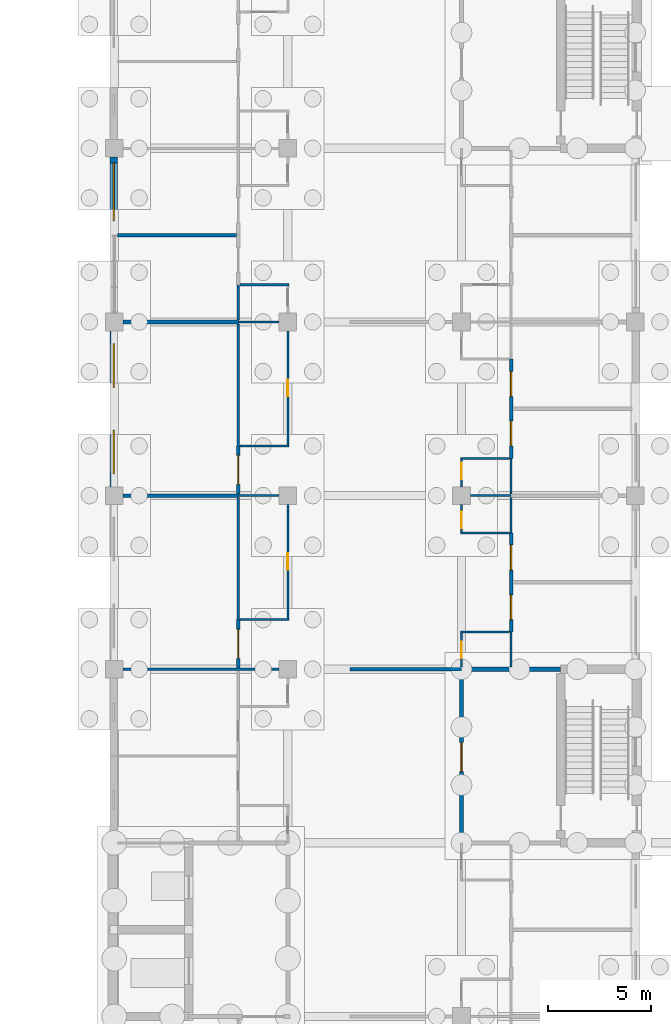
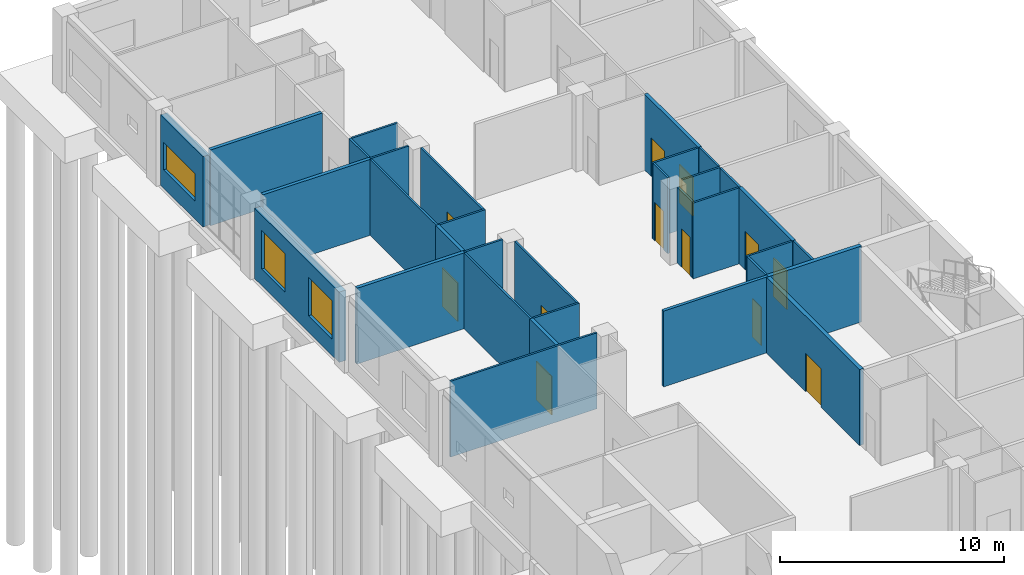
# One storey, part 107 of 138: 33 walls, 12 doors, 3 windows, 15 openings.
"""IFC4 building model written with IfcOpenShell, lengths in metres."""

from ifc_helpers import new_model, si_unit, direction, frame, frame_2d, origin, place, context, subcontext, project, spatial, rectangle, extrude, material, layer, layer_set, type_object, element, fill, save


model = new_model("IFC4")

# Units and contexts
model_context = context("Model", 3, precision=1e-05, world=origin(), true_north=direction((0.0, 1.0)))
body_context = subcontext(model_context, "Body", "Model", "MODEL_VIEW")
ifc_project = project(units=[si_unit("LENGTHUNIT", "METRE"), si_unit("AREAUNIT", "SQUARE_METRE"), si_unit("VOLUMEUNIT", "CUBIC_METRE"), si_unit("PLANEANGLEUNIT", "RADIAN"), si_unit("MASSUNIT", "GRAM", prefix="KILO")], contexts=[model_context])

# Site, building, storey
site_placement = place(None, origin())
site = spatial("IfcSite", under=ifc_project, at=site_placement, CompositionType="ELEMENT")
building_placement = place(site_placement, origin())
building = spatial("IfcBuilding", under=site, at=building_placement, Name="Yavir Park General Hospital", CompositionType="ELEMENT")
storey_placement = place(building_placement, origin())
storey = spatial("IfcBuildingStorey", under=building, at=storey_placement, Name="L00", CompositionType="ELEMENT", Elevation=0.0)

# Walls
ifc_material_1 = material(Name="Double-leaf gypsum board acoustic partition on staggered studs")
ifc_layer_1 = layer(ifc_material_1, 0.175048828125)
ifc_layer_set_1 = layer_set([ifc_layer_1], Name="Double-leaf gypsum board acoustic partition on staggered studs")
wall_type_1 = type_object("IfcWallType", Name="Acoustic partition 175", PredefinedType="PARTITIONING", material=ifc_layer_set_1)
for number, where, z_axis, x_axis, name in (
    (1, (0.425048828125, 92.39990234375, 0.0), (0.0, 0.0, 1.0), (1.0, 0.0, 0.0), "AP175 L00-208"),
    (2, (0.425048828125, 100.800048828125, 0.0), (0.0, 0.0, 1.0), (1.0, 0.0, 0.0), "AP175 L00-225"),
):
    element("IfcWall", number, at=place(storey_placement, frame(where, z_axis=z_axis, x_axis=x_axis)), inside=storey, type_object=wall_type_1, Name=name, PredefinedType="PARTITIONING", context=body_context, shape_type="SweptSolid", body=[
        extrude(rectangle(XDim=5.574951171875, YDim=0.175048828125, at=frame_2d((2.78759765625, 0.0))), origin(), (0.0, 0.0, 1.0), 4.139892578125),
    ])
wall_1_placement = place(storey_placement, frame((0.14990234375, 105.0, 0.0), z_axis=(0.0, 0.0, 1.0), x_axis=(1.0, 0.0, 0.0)))
element("IfcWall", 3, at=wall_1_placement, inside=storey, type_object=wall_type_1, Name="AP175 L00-235", PredefinedType="PARTITIONING", context=body_context, shape_type="SweptSolid", body=[
    extrude(rectangle(XDim=5.7626953125, YDim=0.175048828125, at=frame_2d((2.88134765625, 0.0))), origin(), (0.0, 0.0, 1.0), 4.139892578125),
])

# Wall, opening, door
wall_2_placement = place(storey_placement, frame((6.0, 84.050048828125, 0.0), z_axis=(0.0, 0.0, 1.0), x_axis=(0.0, 1.0, 0.0)))
wall_2 = element("IfcWall", 4, at=wall_2_placement, inside=storey, type_object=wall_type_1, Name="AP175 L00-267", PredefinedType="PARTITIONING", context=body_context, shape_type="SweptSolid", body=[
    extrude(rectangle(XDim=2.349853515625, YDim=0.175048828125, at=frame_2d((1.1748046875, 0.0))), origin(), (0.0, 0.0, 1.0), 4.139892578125),
])
opening_1_placement = place(wall_2_placement, frame((0.47509765625, 0.0, 0.0)))
opening_1 = element("IfcOpeningElement", 5, at=opening_1_placement, cuts=wall_2, Name="Opening L00.D139", PredefinedType="OPENING", context=body_context, shape_type="SweptSolid", body=[
    extrude(rectangle(XDim=1.39990234375, YDim=2.10009765625, at=frame_2d((0.699951171875, 1.050048828125))), frame((0.0, 0.097412109375, 0.0), z_axis=(0.0, -1.0, 0.0), x_axis=(1.0, 0.0, 0.0)), (0.0, 0.0, 1.0), 0.195068359375),
])
ifc_material_2 = material(Name="Hollow metal frame, solid-core timber leaf", Category="wood")
door_type_1 = type_object("IfcDoorType", Name="Double swing door 1400 x 2100", OperationType="DOUBLE_DOOR_SINGLE_SWING", PredefinedType="DOOR", material=ifc_material_2)
door_1_placement = place(opening_1_placement, origin())
door_1 = element("IfcDoor", 6, at=door_1_placement, inside=storey, type_object=door_type_1, Name="L00.D139", OperationType="SINGLE_SWING_RIGHT", OverallHeight=2.10009765625, OverallWidth=1.39990234375, PredefinedType="DOOR", context=body_context, shape_type="SweptSolid", body=[
    extrude(rectangle(XDim=1.39990234375, YDim=2.10009765625, at=frame_2d((0.699951171875, 1.050048828125))), frame((0.0, 0.02490234375, 0.0), z_axis=(0.0, -1.0, 0.0), x_axis=(1.0, 0.0, 0.0)), (0.0, 0.0, 1.0), 0.050048828125),
])
fill(opening_1, door_1)

wall_3_placement = place(storey_placement, frame((6.0, 92.487548828125, 0.0), z_axis=(0.0, 0.0, 1.0), x_axis=(0.0, 1.0, 0.0)))
wall_3 = element("IfcWall", 7, at=wall_3_placement, inside=storey, type_object=wall_type_1, Name="AP175 L00-269", PredefinedType="PARTITIONING", context=body_context, shape_type="SweptSolid", body=[
    extrude(rectangle(XDim=2.3125, YDim=0.175048828125, at=frame_2d((1.15625, 0.0))), origin(), (0.0, 0.0, 1.0), 4.139892578125),
])
opening_2_placement = place(wall_3_placement, frame((0.456298828125, 0.0, 0.0)))
opening_2 = element("IfcOpeningElement", 8, at=opening_2_placement, cuts=wall_3, Name="Opening L00.D140", PredefinedType="OPENING", context=body_context, shape_type="SweptSolid", body=[
    extrude(rectangle(XDim=1.39990234375, YDim=2.10009765625, at=frame_2d((0.699951171875, 1.050048828125))), frame((0.0, 0.097412109375, 0.0), z_axis=(0.0, -1.0, 0.0), x_axis=(1.0, 0.0, 0.0)), (0.0, 0.0, 1.0), 0.195068359375),
])
door_2_placement = place(opening_2_placement, origin())
door_2 = element("IfcDoor", 9, at=door_2_placement, inside=storey, type_object=door_type_1, Name="L00.D140", OperationType="SINGLE_SWING_RIGHT", OverallHeight=2.10009765625, OverallWidth=1.39990234375, PredefinedType="DOOR", context=body_context, shape_type="SweptSolid", body=[
    extrude(rectangle(XDim=1.39990234375, YDim=2.10009765625, at=frame_2d((0.699951171875, 1.050048828125))), frame((0.0, 0.02490234375, 0.0), z_axis=(0.0, -1.0, 0.0), x_axis=(1.0, 0.0, 0.0)), (0.0, 0.0, 1.0), 0.050048828125),
])
fill(opening_2, door_2)

# Wall, openings, doors
wall_4_placement = place(storey_placement, frame((19.199951171875, 85.800048828125, 0.0), z_axis=(0.0, 0.0, 1.0), x_axis=(0.0, 1.0, 0.0)))
wall_4 = element("IfcWall", 10, at=wall_4_placement, inside=storey, type_object=wall_type_1, Name="AP175 L00-329", PredefinedType="PARTITIONING", context=body_context, shape_type="SweptSolid", body=[
    extrude(rectangle(XDim=4.800048828125, YDim=0.175048828125, at=frame_2d((2.39990234375, 0.0))), origin(), (0.0, 0.0, 1.0), 4.139892578125),
])
opening_3_placement = place(wall_4_placement, frame((0.60009765625, 0.0, 0.0)))
opening_3 = element("IfcOpeningElement", 11, at=opening_3_placement, cuts=wall_4, Name="Opening L00.D184", PredefinedType="OPENING", context=body_context, shape_type="SweptSolid", body=[
    extrude(rectangle(XDim=1.199951171875, YDim=2.10009765625, at=frame_2d((0.60009765625, 1.050048828125))), frame((0.0, 0.097412109375, 0.0), z_axis=(0.0, -1.0, 0.0), x_axis=(1.0, 0.0, 0.0)), (0.0, 0.0, 1.0), 0.195068359375),
])
opening_4_placement = place(wall_4_placement, frame((3.0, 0.0, 0.0)))
opening_4 = element("IfcOpeningElement", 12, at=opening_4_placement, cuts=wall_4, Name="Opening L00.D185", PredefinedType="OPENING", context=body_context, shape_type="SweptSolid", body=[
    extrude(rectangle(XDim=1.199951171875, YDim=2.10009765625, at=frame_2d((0.60009765625, 1.050048828125))), frame((0.0, 0.097412109375, 0.0), z_axis=(0.0, -1.0, 0.0), x_axis=(1.0, 0.0, 0.0)), (0.0, 0.0, 1.0), 0.195068359375),
])
ifc_material_3 = material(Name="Sealed solid-core acoustic door leaf, Rw 42 dB")
door_type_2 = type_object("IfcDoorType", Name="Acoustic door 1200 x 2100", OperationType="SINGLE_SWING_LEFT", PredefinedType="DOOR", material=ifc_material_3)
door_3_placement = place(opening_3_placement, origin())
door_3 = element("IfcDoor", 13, at=door_3_placement, inside=storey, type_object=door_type_2, Name="L00.D184", OperationType="SINGLE_SWING_RIGHT", OverallHeight=2.10009765625, OverallWidth=1.199951171875, PredefinedType="DOOR", context=body_context, shape_type="SweptSolid", body=[
    extrude(rectangle(XDim=1.199951171875, YDim=2.10009765625, at=frame_2d((0.60009765625, 1.050048828125))), frame((0.0, 0.03515625, 0.0), z_axis=(0.0, -1.0, 0.0), x_axis=(1.0, 0.0, 0.0)), (0.0, 0.0, 1.0), 0.070068359375),
])
fill(opening_3, door_3)
door_4_placement = place(opening_4_placement, origin())
door_4 = element("IfcDoor", 14, at=door_4_placement, inside=storey, type_object=door_type_2, Name="L00.D185", OperationType="SINGLE_SWING_LEFT", OverallHeight=2.10009765625, OverallWidth=1.199951171875, PredefinedType="DOOR", context=body_context, shape_type="SweptSolid", body=[
    extrude(rectangle(XDim=1.199951171875, YDim=2.10009765625, at=frame_2d((0.60009765625, 1.050048828125))), frame((0.0, 0.03515625, 0.0), z_axis=(0.0, -1.0, 0.0), x_axis=(1.0, 0.0, 0.0)), (0.0, 0.0, 1.0), 0.070068359375),
])
fill(opening_4, door_4)

wall_5_placement = place(storey_placement, frame((19.199951171875, 94.199951171875, 0.0), z_axis=(0.0, 0.0, 1.0), x_axis=(0.0, 1.0, 0.0)))
wall_5 = element("IfcWall", 15, at=wall_5_placement, inside=storey, type_object=wall_type_1, Name="AP175 L00-332", PredefinedType="PARTITIONING", context=body_context, shape_type="SweptSolid", body=[
    extrude(rectangle(XDim=4.800048828125, YDim=0.175048828125, at=frame_2d((2.39990234375, 0.0))), origin(), (0.0, 0.0, 1.0), 4.139892578125),
])
opening_5_placement = place(wall_5_placement, frame((0.60009765625, 0.0, 0.0)))
opening_5 = element("IfcOpeningElement", 16, at=opening_5_placement, cuts=wall_5, Name="Opening L00.D186", PredefinedType="OPENING", context=body_context, shape_type="SweptSolid", body=[
    extrude(rectangle(XDim=1.199951171875, YDim=2.10009765625, at=frame_2d((0.60009765625, 1.050048828125))), frame((0.0, 0.097412109375, 0.0), z_axis=(0.0, -1.0, 0.0), x_axis=(1.0, 0.0, 0.0)), (0.0, 0.0, 1.0), 0.195068359375),
])
opening_6_placement = place(wall_5_placement, frame((3.0, 0.0, 0.0)))
opening_6 = element("IfcOpeningElement", 17, at=opening_6_placement, cuts=wall_5, Name="Opening L00.D187", PredefinedType="OPENING", context=body_context, shape_type="SweptSolid", body=[
    extrude(rectangle(XDim=1.199951171875, YDim=2.10009765625, at=frame_2d((0.60009765625, 1.050048828125))), frame((0.0, 0.097412109375, 0.0), z_axis=(0.0, -1.0, 0.0), x_axis=(1.0, 0.0, 0.0)), (0.0, 0.0, 1.0), 0.195068359375),
])
door_5_placement = place(opening_5_placement, origin())
door_5 = element("IfcDoor", 18, at=door_5_placement, inside=storey, type_object=door_type_2, Name="L00.D186", OperationType="SINGLE_SWING_RIGHT", OverallHeight=2.10009765625, OverallWidth=1.199951171875, PredefinedType="DOOR", context=body_context, shape_type="SweptSolid", body=[
    extrude(rectangle(XDim=1.199951171875, YDim=2.10009765625, at=frame_2d((0.60009765625, 1.050048828125))), frame((0.0, 0.03515625, 0.0), z_axis=(0.0, -1.0, 0.0), x_axis=(1.0, 0.0, 0.0)), (0.0, 0.0, 1.0), 0.070068359375),
])
fill(opening_5, door_5)
door_6_placement = place(opening_6_placement, origin())
door_6 = element("IfcDoor", 19, at=door_6_placement, inside=storey, type_object=door_type_2, Name="L00.D187", OperationType="SINGLE_SWING_LEFT", OverallHeight=2.10009765625, OverallWidth=1.199951171875, PredefinedType="DOOR", context=body_context, shape_type="SweptSolid", body=[
    extrude(rectangle(XDim=1.199951171875, YDim=2.10009765625, at=frame_2d((0.60009765625, 1.050048828125))), frame((0.0, 0.03515625, 0.0), z_axis=(0.0, -1.0, 0.0), x_axis=(1.0, 0.0, 0.0)), (0.0, 0.0, 1.0), 0.070068359375),
])
fill(opening_6, door_6)

# Wall
ifc_material_4 = material(Name="Double gypsum board fire partition on steel studs", Category="steel")
ifc_layer_2 = layer(ifc_material_4, 0.199951171875)
ifc_layer_set_2 = layer_set([ifc_layer_2], Name="Double gypsum board fire partition on steel studs")
wall_type_2 = type_object("IfcWallType", Name="Fire-rated partition 200, EI 60", PredefinedType="PARTITIONING", material=ifc_layer_set_2)
wall_6_placement = place(storey_placement, frame((16.800048828125, 84.0, 0.0), z_axis=(0.0, 0.0, 1.0), x_axis=(1.0, 0.0, 0.0)))
element("IfcWall", 20, at=wall_6_placement, inside=storey, type_object=wall_type_2, Name="FP20 L00-192", PredefinedType="PARTITIONING", context=body_context, shape_type="SweptSolid", body=[
    extrude(rectangle(XDim=4.800048828125, YDim=0.199951171875, at=frame_2d((2.39990234375, 0.0))), origin(), (0.0, 0.0, 1.0), 4.139892578125),
])

# Wall, opening, door
wall_7_placement = place(storey_placement, frame((16.800048828125, 75.60009765625, 0.0), z_axis=(0.0, 0.0, 1.0), x_axis=(0.0, 1.0, 0.0)))
wall_7 = element("IfcWall", 21, at=wall_7_placement, inside=storey, type_object=wall_type_2, Name="FP20 L00-308", PredefinedType="PARTITIONING", context=body_context, shape_type="SweptSolid", body=[
    extrude(rectangle(XDim=8.2998046875, YDim=0.199951171875, at=frame_2d((4.14990234375, 0.0))), origin(), (0.0, 0.0, 1.0), 4.139892578125),
])
opening_7_placement = place(wall_7_placement, frame((3.449951171875, 0.0, 0.0)))
opening_7 = element("IfcOpeningElement", 22, at=opening_7_placement, cuts=wall_7, Name="Opening L00.D169", PredefinedType="OPENING", context=body_context, shape_type="SweptSolid", body=[
    extrude(rectangle(XDim=1.39990234375, YDim=2.10009765625, at=frame_2d((0.699951171875, 1.050048828125))), frame((0.0, 0.10986328125, 0.0), z_axis=(0.0, -1.0, 0.0), x_axis=(1.0, 0.0, 0.0)), (0.0, 0.0, 1.0), 0.219970703125),
])
ifc_material_5 = material(Name="Steel frame, fire-resisting timber leaves", Category="steel")
door_type_3 = type_object("IfcDoorType", Name="Double fire door 1400 x 2100, EI 60", OperationType="DOUBLE_DOOR_SINGLE_SWING", PredefinedType="DOOR", material=ifc_material_5)
door_7_placement = place(opening_7_placement, origin())
door_7 = element("IfcDoor", 23, at=door_7_placement, inside=storey, type_object=door_type_3, Name="L00.D169", OperationType="SINGLE_SWING_LEFT", OverallHeight=2.10009765625, OverallWidth=1.39990234375, PredefinedType="DOOR", context=body_context, shape_type="SweptSolid", body=[
    extrude(rectangle(XDim=1.39990234375, YDim=2.10009765625, at=frame_2d((0.699951171875, 1.050048828125))), frame((0.0, 0.02490234375, 0.0), z_axis=(0.0, -1.0, 0.0), x_axis=(1.0, 0.0, 0.0)), (0.0, 0.0, 1.0), 0.050048828125),
])
fill(opening_7, door_7)

# Walls
ifc_material_6 = material(Name="Gypsum board partition on steel studs", Category="steel")
ifc_layer_3 = layer(ifc_material_6, 0.10009765625)
ifc_layer_set_3 = layer_set([ifc_layer_3], Name="Gypsum board partition on steel studs")
wall_type_3 = type_object("IfcWallType", Name="Gypsum board partition 100", PredefinedType="PARTITIONING", material=ifc_layer_set_3)
wall_8_placement = place(storey_placement, frame((0.425048828125, 84.0, 0.0), z_axis=(0.0, 0.0, 1.0), x_axis=(1.0, 0.0, 0.0)))
element("IfcWall", 24, at=wall_8_placement, inside=storey, type_object=wall_type_3, Name="P10 L00-190", PredefinedType="PARTITIONING", context=body_context, shape_type="SweptSolid", body=[
    extrude(rectangle(XDim=7.550048828125, YDim=0.10009765625, at=frame_2d((3.77490234375, 0.0))), origin(), (0.0, 0.0, 1.0), 4.139892578125),
])
for number, where, z_axis, x_axis, name in (
    (25, (16.75, 85.800048828125, 0.0), (0.0, 0.0, 1.0), (1.0, 0.0, 0.0), "P10 L00-198"),
    (26, (6.08740234375, 86.39990234375, 0.0), (0.0, 0.0, 1.0), (1.0, 0.0, 0.0), "P10 L00-199"),
    (27, (16.75, 90.60009765625, 0.0), (0.0, 0.0, 1.0), (1.0, 0.0, 0.0), "P10 L00-206"),
):
    element("IfcWall", number, at=place(storey_placement, frame(where, z_axis=z_axis, x_axis=x_axis)), inside=storey, type_object=wall_type_3, Name=name, PredefinedType="PARTITIONING", context=body_context, shape_type="SweptSolid", body=[
        extrude(rectangle(XDim=2.362548828125, YDim=0.10009765625, at=frame_2d((1.18115234375, 0.0))), origin(), (0.0, 0.0, 1.0), 4.139892578125),
    ])
wall_9_placement = place(storey_placement, frame((6.0, 92.39990234375, 0.0), z_axis=(0.0, 0.0, 1.0), x_axis=(1.0, 0.0, 0.0)))
element("IfcWall", 28, at=wall_9_placement, inside=storey, type_object=wall_type_3, Name="P10 L00-209", PredefinedType="PARTITIONING", context=body_context, shape_type="SweptSolid", body=[
    extrude(rectangle(XDim=1.97509765625, YDim=0.10009765625, at=frame_2d((0.987548828125, 0.0))), origin(), (0.0, 0.0, 1.0), 4.139892578125),
])
wall_10_placement = place(storey_placement, frame((17.22509765625, 92.39990234375, 0.0), z_axis=(0.0, 0.0, 1.0), x_axis=(1.0, 0.0, 0.0)))
element("IfcWall", 29, at=wall_10_placement, inside=storey, type_object=wall_type_3, Name="P10 L00-210", PredefinedType="PARTITIONING", context=body_context, shape_type="SweptSolid", body=[
    extrude(rectangle(XDim=1.974853515625, YDim=0.10009765625, at=frame_2d((0.9873046875, 0.0))), origin(), (0.0, 0.0, 1.0), 4.139892578125),
])
for number, where, z_axis, x_axis, name in (
    (30, (16.75, 94.199951171875, 0.0), (0.0, 0.0, 1.0), (1.0, 0.0, 0.0), "P10 L00-215"),
    (31, (6.08740234375, 94.800048828125, 0.0), (0.0, 0.0, 1.0), (1.0, 0.0, 0.0), "P10 L00-216"),
):
    element("IfcWall", number, at=place(storey_placement, frame(where, z_axis=z_axis, x_axis=x_axis)), inside=storey, type_object=wall_type_3, Name=name, PredefinedType="PARTITIONING", context=body_context, shape_type="SweptSolid", body=[
        extrude(rectangle(XDim=2.362548828125, YDim=0.10009765625, at=frame_2d((1.18115234375, 0.0))), origin(), (0.0, 0.0, 1.0), 4.139892578125),
    ])
wall_11_placement = place(storey_placement, frame((6.0, 100.800048828125, 0.0), z_axis=(0.0, 0.0, 1.0), x_axis=(1.0, 0.0, 0.0)))
element("IfcWall", 32, at=wall_11_placement, inside=storey, type_object=wall_type_3, Name="P10 L00-226", PredefinedType="PARTITIONING", context=body_context, shape_type="SweptSolid", body=[
    extrude(rectangle(XDim=1.97509765625, YDim=0.10009765625, at=frame_2d((0.987548828125, 0.0))), origin(), (0.0, 0.0, 1.0), 4.139892578125),
])
wall_12_placement = place(storey_placement, frame((6.074951171875, 102.60009765625, 0.0), z_axis=(0.0, 0.0, 1.0), x_axis=(1.0, 0.0, 0.0)))
element("IfcWall", 33, at=wall_12_placement, inside=storey, type_object=wall_type_3, Name="P10 L00-232", PredefinedType="PARTITIONING", context=body_context, shape_type="SweptSolid", body=[
    extrude(rectangle(XDim=2.375, YDim=0.10009765625, at=frame_2d((1.1875, 0.0))), origin(), (0.0, 0.0, 1.0), 4.139892578125),
])
wall_13_placement = place(storey_placement, frame((6.0, 86.39990234375, 0.0), z_axis=(0.0, 0.0, 1.0), x_axis=(0.0, 1.0, 0.0)))
element("IfcWall", 34, at=wall_13_placement, inside=storey, type_object=wall_type_3, Name="P10 L00-268", PredefinedType="PARTITIONING", context=body_context, shape_type="SweptSolid", body=[
    extrude(rectangle(XDim=5.91259765625, YDim=0.10009765625, at=frame_2d((2.956298828125, 0.0))), origin(), (0.0, 0.0, 1.0), 4.139892578125),
])
wall_14_placement = place(storey_placement, frame((6.0, 94.800048828125, 0.0), z_axis=(0.0, 0.0, 1.0), x_axis=(0.0, 1.0, 0.0)))
element("IfcWall", 35, at=wall_14_placement, inside=storey, type_object=wall_type_3, Name="P10 L00-270", PredefinedType="PARTITIONING", context=body_context, shape_type="SweptSolid", body=[
    extrude(rectangle(XDim=5.912353515625, YDim=0.10009765625, at=frame_2d((2.9560546875, 0.0))), origin(), (0.0, 0.0, 1.0), 4.139892578125),
])
wall_15_placement = place(storey_placement, frame((6.0, 100.887451171875, 0.0), z_axis=(0.0, 0.0, 1.0), x_axis=(0.0, 1.0, 0.0)))
element("IfcWall", 36, at=wall_15_placement, inside=storey, type_object=wall_type_3, Name="P10 L00-271", PredefinedType="PARTITIONING", context=body_context, shape_type="SweptSolid", body=[
    extrude(rectangle(XDim=1.712646484375, YDim=0.10009765625, at=frame_2d((0.8564453125, 0.0))), origin(), (0.0, 0.0, 1.0), 4.139892578125),
])

# Wall, opening, door
wall_16_placement = place(storey_placement, frame((8.39990234375, 86.449951171875, 0.0), z_axis=(0.0, 0.0, 1.0), x_axis=(0.0, 1.0, 0.0)))
wall_16 = element("IfcWall", 37, at=wall_16_placement, inside=storey, type_object=wall_type_3, Name="P10 L00-289", PredefinedType="PARTITIONING", context=body_context, shape_type="SweptSolid", body=[
    extrude(rectangle(XDim=5.525146484375, YDim=0.10009765625, at=frame_2d((2.7626953125, 0.0))), origin(), (0.0, 0.0, 1.0), 4.139892578125),
])
opening_8_placement = place(wall_16_placement, frame((2.362548828125, 0.0, 0.0)))
opening_8 = element("IfcOpeningElement", 38, at=opening_8_placement, cuts=wall_16, Name="Opening L00.D154", PredefinedType="OPENING", context=body_context, shape_type="SweptSolid", body=[
    extrude(rectangle(XDim=0.800048828125, YDim=2.10009765625, at=frame_2d((0.39990234375, 1.050048828125))), frame((0.0, 0.06005859375, 0.0), z_axis=(0.0, -1.0, 0.0), x_axis=(1.0, 0.0, 0.0)), (0.0, 0.0, 1.0), 0.1201171875),
])
ifc_material_7 = material(Name="Timber frame, hollow-core leaf", Category="wood")
door_type_4 = type_object("IfcDoorType", Name="Light cupboard door 800 x 2100", OperationType="SINGLE_SWING_LEFT", PredefinedType="DOOR", material=ifc_material_7)
door_8_placement = place(opening_8_placement, origin())
door_8 = element("IfcDoor", 39, at=door_8_placement, inside=storey, type_object=door_type_4, Name="L00.D154", OperationType="SINGLE_SWING_RIGHT", OverallHeight=2.10009765625, OverallWidth=0.800048828125, PredefinedType="DOOR", context=body_context, shape_type="SweptSolid", body=[
    extrude(rectangle(XDim=0.800048828125, YDim=2.10009765625, at=frame_2d((0.39990234375, 1.050048828125))), frame((0.0, 0.02001953125, 0.0), z_axis=(0.0, -1.0, 0.0), x_axis=(1.0, 0.0, 0.0)), (0.0, 0.0, 1.0), 0.0400390625),
])
fill(opening_8, door_8)

wall_17_placement = place(storey_placement, frame((8.39990234375, 94.85009765625, 0.0), z_axis=(0.0, 0.0, 1.0), x_axis=(0.0, 1.0, 0.0)))
wall_17 = element("IfcWall", 40, at=wall_17_placement, inside=storey, type_object=wall_type_3, Name="P10 L00-290", PredefinedType="PARTITIONING", context=body_context, shape_type="SweptSolid", body=[
    extrude(rectangle(XDim=5.52490234375, YDim=0.10009765625, at=frame_2d((2.762451171875, 0.0))), origin(), (0.0, 0.0, 1.0), 4.139892578125),
])
opening_9_placement = place(wall_17_placement, frame((2.362548828125, 0.0, 0.0)))
opening_9 = element("IfcOpeningElement", 41, at=opening_9_placement, cuts=wall_17, Name="Opening L00.D155", PredefinedType="OPENING", context=body_context, shape_type="SweptSolid", body=[
    extrude(rectangle(XDim=0.800048828125, YDim=2.10009765625, at=frame_2d((0.39990234375, 1.050048828125))), frame((0.0, 0.06005859375, 0.0), z_axis=(0.0, -1.0, 0.0), x_axis=(1.0, 0.0, 0.0)), (0.0, 0.0, 1.0), 0.1201171875),
])
door_9_placement = place(opening_9_placement, origin())
door_9 = element("IfcDoor", 42, at=door_9_placement, inside=storey, type_object=door_type_4, Name="L00.D155", OperationType="SINGLE_SWING_RIGHT", OverallHeight=2.10009765625, OverallWidth=0.800048828125, PredefinedType="DOOR", context=body_context, shape_type="SweptSolid", body=[
    extrude(rectangle(XDim=0.800048828125, YDim=2.10009765625, at=frame_2d((0.39990234375, 1.050048828125))), frame((0.0, 0.02001953125, 0.0), z_axis=(0.0, -1.0, 0.0), x_axis=(1.0, 0.0, 0.0)), (0.0, 0.0, 1.0), 0.0400390625),
])
fill(opening_9, door_9)

wall_18_placement = place(storey_placement, frame((16.800048828125, 84.10009765625, 0.0), z_axis=(0.0, 0.0, 1.0), x_axis=(0.0, 1.0, 0.0)))
wall_18 = element("IfcWall", 43, at=wall_18_placement, inside=storey, type_object=wall_type_3, Name="P10 L00-309", PredefinedType="PARTITIONING", context=body_context, shape_type="SweptSolid", body=[
    extrude(rectangle(XDim=1.64990234375, YDim=0.10009765625, at=frame_2d((0.824951171875, 0.0))), origin(), (0.0, 0.0, 1.0), 4.139892578125),
])
opening_10_placement = place(wall_18_placement, frame((0.425048828125, 0.0, 0.0)))
opening_10 = element("IfcOpeningElement", 44, at=opening_10_placement, cuts=wall_18, Name="Opening L00.D170", PredefinedType="OPENING", context=body_context, shape_type="SweptSolid", body=[
    extrude(rectangle(XDim=0.800048828125, YDim=2.10009765625, at=frame_2d((0.39990234375, 1.050048828125))), frame((0.0, 0.06005859375, 0.0), z_axis=(0.0, -1.0, 0.0), x_axis=(1.0, 0.0, 0.0)), (0.0, 0.0, 1.0), 0.1201171875),
])
door_10_placement = place(opening_10_placement, origin())
door_10 = element("IfcDoor", 45, at=door_10_placement, inside=storey, type_object=door_type_4, Name="L00.D170", OperationType="SINGLE_SWING_LEFT", OverallHeight=2.10009765625, OverallWidth=0.800048828125, PredefinedType="DOOR", context=body_context, shape_type="SweptSolid", body=[
    extrude(rectangle(XDim=0.800048828125, YDim=2.10009765625, at=frame_2d((0.39990234375, 1.050048828125))), frame((0.0, 0.02001953125, 0.0), z_axis=(0.0, -1.0, 0.0), x_axis=(1.0, 0.0, 0.0)), (0.0, 0.0, 1.0), 0.0400390625),
])
fill(opening_10, door_10)

wall_19_placement = place(storey_placement, frame((16.800048828125, 90.64990234375, 0.0), z_axis=(0.0, 0.0, 1.0), x_axis=(0.0, 1.0, 0.0)))
wall_19 = element("IfcWall", 46, at=wall_19_placement, inside=storey, type_object=wall_type_3, Name="P10 L00-310", PredefinedType="PARTITIONING", context=body_context, shape_type="SweptSolid", body=[
    extrude(rectangle(XDim=1.3251953125, YDim=0.10009765625, at=frame_2d((0.66259765625, 0.0))), origin(), (0.0, 0.0, 1.0), 4.139892578125),
])
opening_11_placement = place(wall_19_placement, frame((0.16259765625, 0.0, 0.0)))
opening_11 = element("IfcOpeningElement", 47, at=opening_11_placement, cuts=wall_19, Name="Opening L00.D171", PredefinedType="OPENING", context=body_context, shape_type="SweptSolid", body=[
    extrude(rectangle(XDim=0.800048828125, YDim=2.10009765625, at=frame_2d((0.39990234375, 1.050048828125))), frame((0.0, 0.06005859375, 0.0), z_axis=(0.0, -1.0, 0.0), x_axis=(1.0, 0.0, 0.0)), (0.0, 0.0, 1.0), 0.1201171875),
])
door_11_placement = place(opening_11_placement, origin())
door_11 = element("IfcDoor", 48, at=door_11_placement, inside=storey, type_object=door_type_4, Name="L00.D171", OperationType="SINGLE_SWING_LEFT", OverallHeight=2.10009765625, OverallWidth=0.800048828125, PredefinedType="DOOR", context=body_context, shape_type="SweptSolid", body=[
    extrude(rectangle(XDim=0.800048828125, YDim=2.10009765625, at=frame_2d((0.39990234375, 1.050048828125))), frame((0.0, 0.02001953125, 0.0), z_axis=(0.0, -1.0, 0.0), x_axis=(1.0, 0.0, 0.0)), (0.0, 0.0, 1.0), 0.0400390625),
])
fill(opening_11, door_11)

wall_20_placement = place(storey_placement, frame((16.800048828125, 92.824951171875, 0.0), z_axis=(0.0, 0.0, 1.0), x_axis=(0.0, 1.0, 0.0)))
wall_20 = element("IfcWall", 49, at=wall_20_placement, inside=storey, type_object=wall_type_3, Name="P10 L00-311", PredefinedType="PARTITIONING", context=body_context, shape_type="SweptSolid", body=[
    extrude(rectangle(XDim=1.324951171875, YDim=0.10009765625, at=frame_2d((0.66259765625, 0.0))), origin(), (0.0, 0.0, 1.0), 4.139892578125),
])
opening_12_placement = place(wall_20_placement, frame((0.362548828125, 0.0, 0.0)))
opening_12 = element("IfcOpeningElement", 50, at=opening_12_placement, cuts=wall_20, Name="Opening L00.D172", PredefinedType="OPENING", context=body_context, shape_type="SweptSolid", body=[
    extrude(rectangle(XDim=0.800048828125, YDim=2.10009765625, at=frame_2d((0.39990234375, 1.050048828125))), frame((0.0, 0.06005859375, 0.0), z_axis=(0.0, -1.0, 0.0), x_axis=(1.0, 0.0, 0.0)), (0.0, 0.0, 1.0), 0.1201171875),
])
door_12_placement = place(opening_12_placement, origin())
door_12 = element("IfcDoor", 51, at=door_12_placement, inside=storey, type_object=door_type_4, Name="L00.D172", OperationType="SINGLE_SWING_RIGHT", OverallHeight=2.10009765625, OverallWidth=0.800048828125, PredefinedType="DOOR", context=body_context, shape_type="SweptSolid", body=[
    extrude(rectangle(XDim=0.800048828125, YDim=2.10009765625, at=frame_2d((0.39990234375, 1.050048828125))), frame((0.0, 0.02001953125, 0.0), z_axis=(0.0, -1.0, 0.0), x_axis=(1.0, 0.0, 0.0)), (0.0, 0.0, 1.0), 0.0400390625),
])
fill(opening_12, door_12)

# Walls
wall_21_placement = place(storey_placement, frame((19.199951171875, 84.10009765625, 0.0), z_axis=(0.0, 0.0, 1.0), x_axis=(0.0, 1.0, 0.0)))
element("IfcWall", 52, at=wall_21_placement, inside=storey, type_object=wall_type_3, Name="P10 L00-328", PredefinedType="PARTITIONING", context=body_context, shape_type="SweptSolid", body=[
    extrude(rectangle(XDim=1.699951171875, YDim=0.10009765625, at=frame_2d((0.85009765625, 0.0))), origin(), (0.0, 0.0, 1.0), 4.139892578125),
])
for number, where, z_axis, x_axis, name in (
    (53, (19.199951171875, 90.60009765625, 0.0), (0.0, 0.0, 1.0), (0.0, 1.0, 0.0), "P10 L00-330"),
    (54, (19.199951171875, 92.487548828125, 0.0), (0.0, 0.0, 1.0), (0.0, 1.0, 0.0), "P10 L00-331"),
):
    element("IfcWall", number, at=place(storey_placement, frame(where, z_axis=z_axis, x_axis=x_axis)), inside=storey, type_object=wall_type_3, Name=name, PredefinedType="PARTITIONING", context=body_context, shape_type="SweptSolid", body=[
        extrude(rectangle(XDim=1.71240234375, YDim=0.10009765625, at=frame_2d((0.856201171875, 0.0))), origin(), (0.0, 0.0, 1.0), 4.139892578125),
    ])
ifc_material_8 = material(Name="Gypsum board partition on steel studs", Category="steel")
ifc_layer_4 = layer(ifc_material_8, 0.14990234375)
ifc_layer_set_4 = layer_set([ifc_layer_4], Name="Gypsum board partition on steel studs")
wall_type_4 = type_object("IfcWallType", Name="Gypsum board partition 150", PredefinedType="PARTITIONING", material=ifc_layer_set_4)
wall_22_placement = place(storey_placement, frame((11.39990234375, 84.0, 0.0), z_axis=(0.0, 0.0, 1.0), x_axis=(1.0, 0.0, 0.0)))
element("IfcWall", 55, at=wall_22_placement, inside=storey, type_object=wall_type_4, Name="P15 L00-191", PredefinedType="PARTITIONING", context=body_context, shape_type="SweptSolid", body=[
    extrude(rectangle(XDim=5.400146484375, YDim=0.14990234375, at=frame_2d((2.7001953125, 0.0))), origin(), (0.0, 0.0, 1.0), 4.139892578125),
])

# Wall, openings, windows
ifc_material_9 = material(Name="Concrete C30/37 precast panel with 120 mm mineral wool insulation", Category="concrete")
ifc_layer_5 = layer(ifc_material_9, 0.35009765625)
ifc_layer_set_5 = layer_set([ifc_layer_5], Name="Concrete C30/37 precast panel with 120 mm mineral wool insulation")
wall_type_5 = type_object("IfcWallType", Name="Precast cladding panel podium wall 350, E 30", PredefinedType="SOLIDWALL", material=ifc_layer_set_5)
wall_23_placement = place(storey_placement, frame((-0.02490234375, 92.824951171875, 0.0), z_axis=(0.0, 0.0, 1.0), x_axis=(0.0, 1.0, 0.0)))
wall_23 = element("IfcWall", 56, at=wall_23_placement, inside=storey, type_object=wall_type_5, Name="XW2 L00-112", PredefinedType="SOLIDWALL", context=body_context, shape_type="SweptSolid", body=[
    extrude(rectangle(XDim=7.550048828125, YDim=0.35009765625, at=frame_2d((3.77490234375, 0.0))), origin(), (0.0, 0.0, 1.0), 3.840087890625),
])
opening_13_placement = place(wall_23_placement, frame((0.625, 0.0, 0.89990234375)))
opening_13 = element("IfcOpeningElement", 57, at=opening_13_placement, cuts=wall_23, Name="Opening WA2", PredefinedType="OPENING", context=body_context, shape_type="SweptSolid", body=[
    extrude(rectangle(XDim=2.10009765625, YDim=2.10009765625, at=frame_2d((1.050048828125, 1.050048828125))), frame((0.0, 0.18505859375, 0.0), z_axis=(0.0, -1.0, 0.0), x_axis=(1.0, 0.0, 0.0)), (0.0, 0.0, 1.0), 0.3701171875),
])
opening_14_placement = place(wall_23_placement, frame((4.824951171875, 0.0, 0.89990234375)))
opening_14 = element("IfcOpeningElement", 58, at=opening_14_placement, cuts=wall_23, Name="Opening WA2", PredefinedType="OPENING", context=body_context, shape_type="SweptSolid", body=[
    extrude(rectangle(XDim=2.10009765625, YDim=2.10009765625, at=frame_2d((1.050048828125, 1.050048828125))), frame((0.0, 0.18505859375, 0.0), z_axis=(0.0, -1.0, 0.0), x_axis=(1.0, 0.0, 0.0)), (0.0, 0.0, 1.0), 0.3701171875),
])
ifc_material_10 = material(Name="Aluminium frame, double glazed unit", Category="aluminium")
window_type_1 = type_object("IfcWindowType", Name="Tall window 2100 x 2100", PartitioningType="DOUBLE_PANEL_VERTICAL", PredefinedType="WINDOW", material=ifc_material_10)
window_1_placement = place(opening_13_placement, origin())
window_1 = element("IfcWindow", 59, at=window_1_placement, inside=storey, type_object=window_type_1, Name="WA2 L00-043", OverallHeight=2.10009765625, OverallWidth=2.10009765625, PartitioningType="DOUBLE_PANEL_VERTICAL", PredefinedType="WINDOW", context=body_context, shape_type="SweptSolid", body=[
    extrude(rectangle(XDim=2.10009765625, YDim=2.10009765625, at=frame_2d((1.050048828125, 1.050048828125))), frame((0.0, 0.030029296875, 0.0), z_axis=(0.0, -1.0, 0.0), x_axis=(1.0, 0.0, 0.0)), (0.0, 0.0, 1.0), 0.06005859375),
])
fill(opening_13, window_1)
window_2_placement = place(opening_14_placement, origin())
window_2 = element("IfcWindow", 60, at=window_2_placement, inside=storey, type_object=window_type_1, Name="WA2 L00-044", OverallHeight=2.10009765625, OverallWidth=2.10009765625, PartitioningType="DOUBLE_PANEL_VERTICAL", PredefinedType="WINDOW", context=body_context, shape_type="SweptSolid", body=[
    extrude(rectangle(XDim=2.10009765625, YDim=2.10009765625, at=frame_2d((1.050048828125, 1.050048828125))), frame((0.0, 0.030029296875, 0.0), z_axis=(0.0, -1.0, 0.0), x_axis=(1.0, 0.0, 0.0)), (0.0, 0.0, 1.0), 0.06005859375),
])
fill(opening_14, window_2)

# Wall, opening, window
wall_24_placement = place(storey_placement, frame((-0.02490234375, 105.0, 0.0), z_axis=(0.0, 0.0, 1.0), x_axis=(0.0, 1.0, 0.0)))
wall_24 = element("IfcWall", 61, at=wall_24_placement, inside=storey, type_object=wall_type_5, Name="XW2 L00-113", PredefinedType="SOLIDWALL", context=body_context, shape_type="SweptSolid", body=[
    extrude(rectangle(XDim=3.77490234375, YDim=0.35009765625, at=frame_2d((1.887451171875, 0.0))), origin(), (0.0, 0.0, 1.0), 3.840087890625),
])
opening_15_placement = place(wall_24_placement, frame((0.699951171875, 0.0, 1.0)))
opening_15 = element("IfcOpeningElement", 62, at=opening_15_placement, cuts=wall_24, Name="Opening WRB2", PredefinedType="OPENING", context=body_context, shape_type="SweptSolid", body=[
    extrude(rectangle(XDim=2.800048828125, YDim=1.5, at=frame_2d((1.39990234375, 0.75))), frame((0.0, 0.18505859375, 0.0), z_axis=(0.0, -1.0, 0.0), x_axis=(1.0, 0.0, 0.0)), (0.0, 0.0, 1.0), 0.3701171875),
])
ifc_material_11 = material(Name="Aluminium frame, double glazed unit", Category="aluminium")
window_type_2 = type_object("IfcWindowType", Name="Tall ribbon window 2800 x 1500", PartitioningType="DOUBLE_PANEL_VERTICAL", PredefinedType="WINDOW", material=ifc_material_11)
window_3_placement = place(opening_15_placement, origin())
window_3 = element("IfcWindow", 63, at=window_3_placement, inside=storey, type_object=window_type_2, Name="WRB2 L00-045", OverallHeight=1.5, OverallWidth=2.800048828125, PartitioningType="DOUBLE_PANEL_VERTICAL", PredefinedType="WINDOW", context=body_context, shape_type="SweptSolid", body=[
    extrude(rectangle(XDim=2.800048828125, YDim=1.5, at=frame_2d((1.39990234375, 0.75))), frame((0.0, 0.030029296875, 0.0), z_axis=(0.0, -1.0, 0.0), x_axis=(1.0, 0.0, 0.0)), (0.0, 0.0, 1.0), 0.06005859375),
])
fill(opening_15, window_3)

save(model, "model.ifc")
